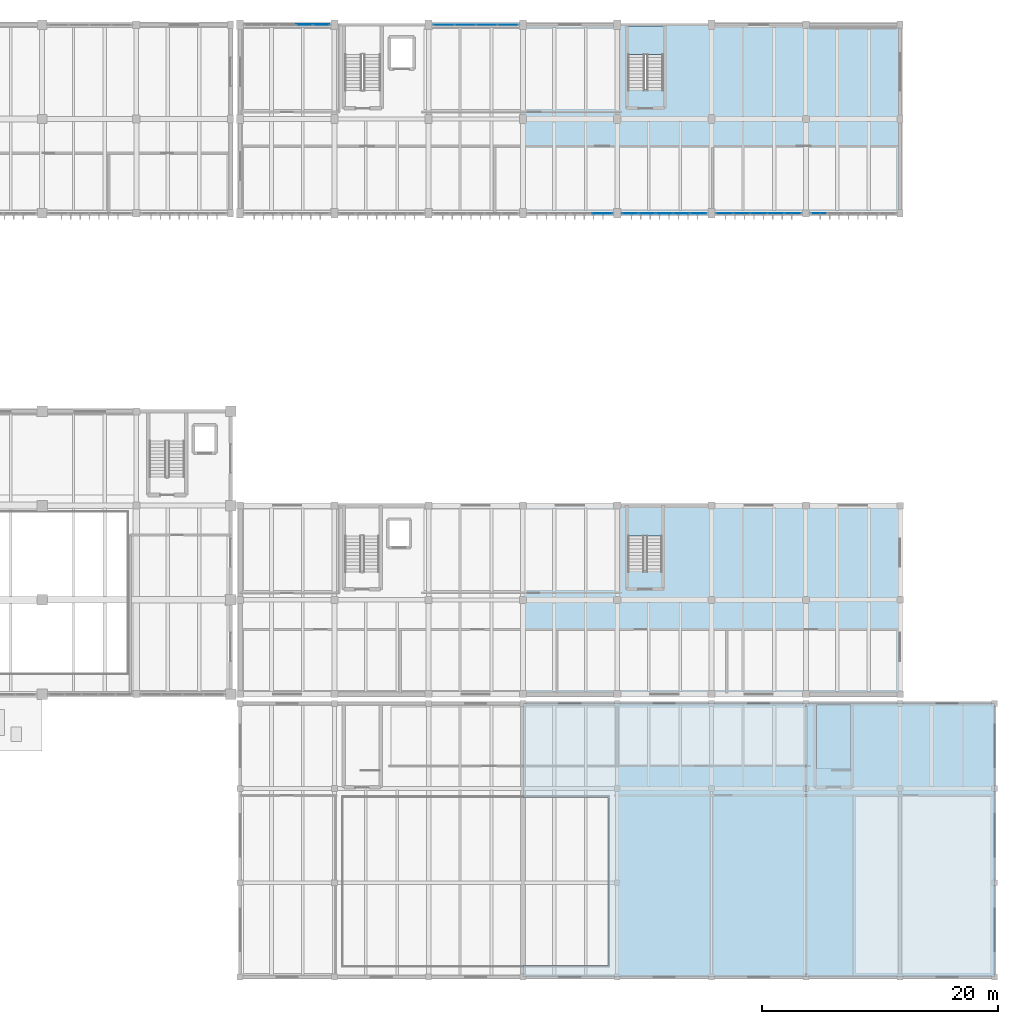
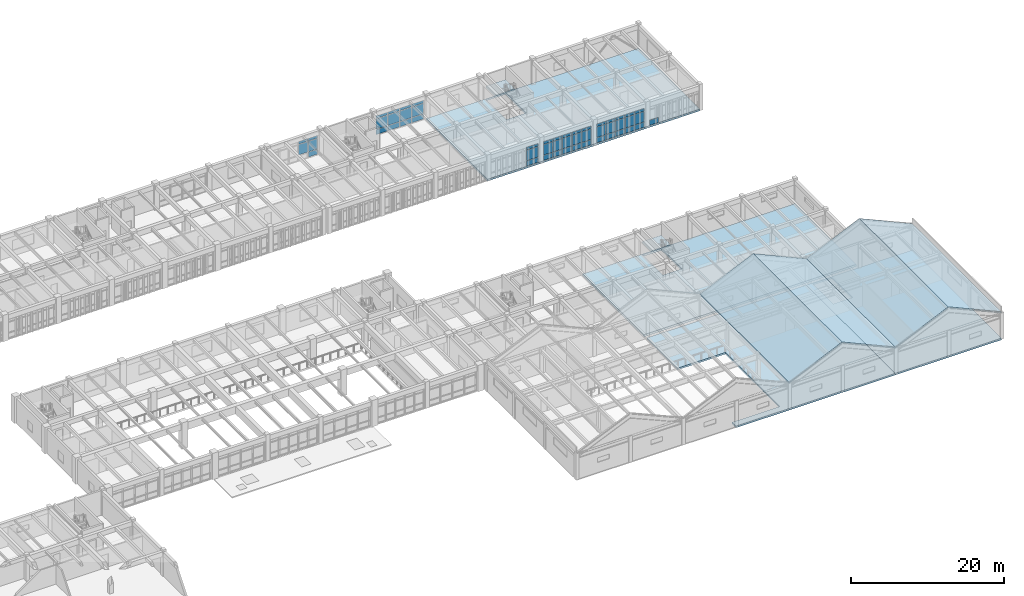
# One storey, part 38 of 67: 51 plates, 10 slabs, 8 elements without a shape of their own.
"""IFC4 building model written with IfcOpenShell, lengths in metres."""

from ifc_helpers import new_model, si_unit, direction, frame, origin, origin_2d, place, context, subcontext, project, spatial, polyline, rectangle, outline, extrude, material, layer, layer_set, type_object, element, aggregate, save


model = new_model("IFC4")

# Units and contexts
model_context = context("Model", 3, precision=1e-05, world=origin(), true_north=direction((0.0, 1.0)))
body_context = subcontext(model_context, "Body", "Model", "MODEL_VIEW")
ifc_project = project(units=[si_unit("LENGTHUNIT", "METRE"), si_unit("AREAUNIT", "SQUARE_METRE"), si_unit("VOLUMEUNIT", "CUBIC_METRE"), si_unit("PLANEANGLEUNIT", "RADIAN"), si_unit("MASSUNIT", "GRAM", prefix="KILO")], contexts=[model_context])

# Site, building, storey
site_placement = place(None, origin())
site = spatial("IfcSite", under=ifc_project, at=site_placement, CompositionType="ELEMENT")
building_placement = place(site_placement, origin())
building = spatial("IfcBuilding", under=site, at=building_placement, Name="Tlaxcora Railside Police Headquarters", CompositionType="ELEMENT")
storey_placement = place(building_placement, frame((0.0, 0.0, 4.800048828125)))
storey = spatial("IfcBuildingStorey", under=building, at=storey_placement, Name="L01", CompositionType="ELEMENT", Elevation=4.800048828125)

# Curtain wall, plates
ifc_material_1 = material(Name="Thermally broken low-E insulated glazing", Category="glass")
curtain_wall_type_1 = type_object("IfcCurtainWallType", Name="Unitised Curtain Wall Assembly CW-23", PredefinedType="NOTDEFINED", material=ifc_material_1)
curtain_wall_1_placement = place(storey_placement, origin())
curtain_wall_1 = element("IfcCurtainWall", 1, at=curtain_wall_1_placement, inside=storey, type_object=curtain_wall_type_1, Name="V6 L01 curtain wall 148", PredefinedType="NOTDEFINED")
ifc_layer_1 = layer(ifc_material_1, 0.0400390625, Name="Thermally broken low-E insulated glazing")
ifc_layer_set_1 = layer_set([ifc_layer_1], Name="Thermally broken low-E insulated glazing")
plate_type_1 = type_object("IfcPlateType", Name="Curtain Wall Infill Panel CW-17", PredefinedType="CURTAIN_PANEL", material=ifc_layer_set_1)
plate_1_placement = place(storey_placement, frame((135.89990234375, 76.800048828125, 0.080078125), z_axis=(0.0, 0.0, 1.0), x_axis=(1.0, 0.0, 0.0)))
plate_1 = element("IfcPlate", 2, at=plate_1_placement, type_object=plate_type_1, Name="CW panel 1.1", PredefinedType="CURTAIN_PANEL", context=body_context, shape_type="SweptSolid", body=[
    extrude(rectangle(XDim=1.340087890625, YDim=0.0400390625, at=origin_2d()), origin(), (0.0, 0.0, 1.0), 0.780029296875),
])
plate_2_placement = place(storey_placement, frame((135.89990234375, 76.800048828125, 0.93994140625), z_axis=(0.0, 0.0, 1.0), x_axis=(1.0, 0.0, 0.0)))
plate_2 = element("IfcPlate", 3, at=plate_2_placement, type_object=plate_type_1, Name="CW panel 1.2", PredefinedType="CURTAIN_PANEL", context=body_context, shape_type="SweptSolid", body=[
    extrude(rectangle(XDim=1.340087890625, YDim=0.0400390625, at=origin_2d()), origin(), (0.0, 0.0, 1.0), 1.6298828125),
])
plate_3_placement = place(storey_placement, frame((135.89990234375, 76.800048828125, 2.64990234375), z_axis=(0.0, 0.0, 1.0), x_axis=(1.0, 0.0, 0.0)))
plate_3 = element("IfcPlate", 4, at=plate_3_placement, type_object=plate_type_1, Name="CW panel 1.3", PredefinedType="CURTAIN_PANEL", context=body_context, shape_type="SweptSolid", body=[
    extrude(rectangle(XDim=1.340087890625, YDim=0.0400390625, at=origin_2d()), origin(), (0.0, 0.0, 1.0), 0.409912109375),
])
plate_4_placement = place(storey_placement, frame((137.340087890625, 76.800048828125, 0.080078125), z_axis=(0.0, 0.0, 1.0), x_axis=(1.0, 0.0, 0.0)))
plate_4 = element("IfcPlate", 5, at=plate_4_placement, type_object=plate_type_1, Name="CW panel 2.1", PredefinedType="CURTAIN_PANEL", context=body_context, shape_type="SweptSolid", body=[
    extrude(rectangle(XDim=1.3798828125, YDim=0.0400390625, at=origin_2d()), origin(), (0.0, 0.0, 1.0), 0.780029296875),
])
plate_5_placement = place(storey_placement, frame((137.340087890625, 76.800048828125, 0.93994140625), z_axis=(0.0, 0.0, 1.0), x_axis=(1.0, 0.0, 0.0)))
plate_5 = element("IfcPlate", 6, at=plate_5_placement, type_object=plate_type_1, Name="CW panel 2.2", PredefinedType="CURTAIN_PANEL", context=body_context, shape_type="SweptSolid", body=[
    extrude(rectangle(XDim=1.3798828125, YDim=0.0400390625, at=origin_2d()), origin(), (0.0, 0.0, 1.0), 1.6298828125),
])
plate_6_placement = place(storey_placement, frame((137.340087890625, 76.800048828125, 2.64990234375), z_axis=(0.0, 0.0, 1.0), x_axis=(1.0, 0.0, 0.0)))
plate_6 = element("IfcPlate", 7, at=plate_6_placement, type_object=plate_type_1, Name="CW panel 2.3", PredefinedType="CURTAIN_PANEL", context=body_context, shape_type="SweptSolid", body=[
    extrude(rectangle(XDim=1.3798828125, YDim=0.0400390625, at=origin_2d()), origin(), (0.0, 0.0, 1.0), 0.409912109375),
])
plate_7_placement = place(storey_placement, frame((138.800048828125, 76.800048828125, 0.080078125), z_axis=(0.0, 0.0, 1.0), x_axis=(1.0, 0.0, 0.0)))
plate_7 = element("IfcPlate", 8, at=plate_7_placement, type_object=plate_type_1, Name="CW panel 3.1", PredefinedType="CURTAIN_PANEL", context=body_context, shape_type="SweptSolid", body=[
    extrude(rectangle(XDim=1.3798828125, YDim=0.0400390625, at=origin_2d()), origin(), (0.0, 0.0, 1.0), 0.780029296875),
])
plate_8_placement = place(storey_placement, frame((138.800048828125, 76.800048828125, 0.93994140625), z_axis=(0.0, 0.0, 1.0), x_axis=(1.0, 0.0, 0.0)))
plate_8 = element("IfcPlate", 9, at=plate_8_placement, type_object=plate_type_1, Name="CW panel 3.2", PredefinedType="CURTAIN_PANEL", context=body_context, shape_type="SweptSolid", body=[
    extrude(rectangle(XDim=1.3798828125, YDim=0.0400390625, at=origin_2d()), origin(), (0.0, 0.0, 1.0), 1.6298828125),
])
plate_9_placement = place(storey_placement, frame((138.800048828125, 76.800048828125, 2.64990234375), z_axis=(0.0, 0.0, 1.0), x_axis=(1.0, 0.0, 0.0)))
plate_9 = element("IfcPlate", 10, at=plate_9_placement, type_object=plate_type_1, Name="CW panel 3.3", PredefinedType="CURTAIN_PANEL", context=body_context, shape_type="SweptSolid", body=[
    extrude(rectangle(XDim=1.3798828125, YDim=0.0400390625, at=origin_2d()), origin(), (0.0, 0.0, 1.0), 0.409912109375),
])
plate_10_placement = place(storey_placement, frame((140.260009765625, 76.800048828125, 0.080078125), z_axis=(0.0, 0.0, 1.0), x_axis=(1.0, 0.0, 0.0)))
plate_10 = element("IfcPlate", 11, at=plate_10_placement, type_object=plate_type_1, Name="CW panel 4.1", PredefinedType="CURTAIN_PANEL", context=body_context, shape_type="SweptSolid", body=[
    extrude(rectangle(XDim=1.3798828125, YDim=0.0400390625, at=origin_2d()), origin(), (0.0, 0.0, 1.0), 0.780029296875),
])
plate_11_placement = place(storey_placement, frame((140.260009765625, 76.800048828125, 0.93994140625), z_axis=(0.0, 0.0, 1.0), x_axis=(1.0, 0.0, 0.0)))
plate_11 = element("IfcPlate", 12, at=plate_11_placement, type_object=plate_type_1, Name="CW panel 4.2", PredefinedType="CURTAIN_PANEL", context=body_context, shape_type="SweptSolid", body=[
    extrude(rectangle(XDim=1.3798828125, YDim=0.0400390625, at=origin_2d()), origin(), (0.0, 0.0, 1.0), 1.6298828125),
])
plate_12_placement = place(storey_placement, frame((140.260009765625, 76.800048828125, 2.64990234375), z_axis=(0.0, 0.0, 1.0), x_axis=(1.0, 0.0, 0.0)))
plate_12 = element("IfcPlate", 13, at=plate_12_placement, type_object=plate_type_1, Name="CW panel 4.3", PredefinedType="CURTAIN_PANEL", context=body_context, shape_type="SweptSolid", body=[
    extrude(rectangle(XDim=1.3798828125, YDim=0.0400390625, at=origin_2d()), origin(), (0.0, 0.0, 1.0), 0.409912109375),
])
plate_13_placement = place(storey_placement, frame((141.699951171875, 76.800048828125, 0.080078125), z_axis=(0.0, 0.0, 1.0), x_axis=(1.0, 0.0, 0.0)))
plate_13 = element("IfcPlate", 14, at=plate_13_placement, type_object=plate_type_1, Name="CW panel 5.1", PredefinedType="CURTAIN_PANEL", context=body_context, shape_type="SweptSolid", body=[
    extrude(rectangle(XDim=1.340087890625, YDim=0.0400390625, at=origin_2d()), origin(), (0.0, 0.0, 1.0), 0.780029296875),
])
plate_14_placement = place(storey_placement, frame((141.699951171875, 76.800048828125, 0.93994140625), z_axis=(0.0, 0.0, 1.0), x_axis=(1.0, 0.0, 0.0)))
plate_14 = element("IfcPlate", 15, at=plate_14_placement, type_object=plate_type_1, Name="CW panel 5.2", PredefinedType="CURTAIN_PANEL", context=body_context, shape_type="SweptSolid", body=[
    extrude(rectangle(XDim=1.340087890625, YDim=0.0400390625, at=origin_2d()), origin(), (0.0, 0.0, 1.0), 1.6298828125),
])
plate_15_placement = place(storey_placement, frame((141.699951171875, 76.800048828125, 2.64990234375), z_axis=(0.0, 0.0, 1.0), x_axis=(1.0, 0.0, 0.0)))
plate_15 = element("IfcPlate", 16, at=plate_15_placement, type_object=plate_type_1, Name="CW panel 5.3", PredefinedType="CURTAIN_PANEL", context=body_context, shape_type="SweptSolid", body=[
    extrude(rectangle(XDim=1.340087890625, YDim=0.0400390625, at=origin_2d()), origin(), (0.0, 0.0, 1.0), 0.409912109375),
])
aggregate(curtain_wall_1, [plate_1, plate_2, plate_3, plate_4, plate_5, plate_6, plate_7, plate_8, plate_9, plate_10, plate_11, plate_12, plate_13, plate_14, plate_15])

curtain_wall_2_placement = place(storey_placement, origin())
curtain_wall_2 = element("IfcCurtainWall", 17, at=curtain_wall_2_placement, inside=storey, type_object=curtain_wall_type_1, Name="V6 L01 curtain wall 152", PredefinedType="NOTDEFINED")
plate_16_placement = place(storey_placement, frame((109.699951171875, 92.800048828125, 0.080078125), z_axis=(0.0, 0.0, 1.0), x_axis=(-1.0, 0.0, 0.0)))
plate_16 = element("IfcPlate", 18, at=plate_16_placement, type_object=plate_type_1, Name="CW panel 1.1", PredefinedType="CURTAIN_PANEL", context=body_context, shape_type="SweptSolid", body=[
    extrude(rectangle(XDim=1.340087890625, YDim=0.0400390625, at=origin_2d()), origin(), (0.0, 0.0, 1.0), 0.780029296875),
])
plate_17_placement = place(storey_placement, frame((109.699951171875, 92.800048828125, 0.93994140625), z_axis=(0.0, 0.0, 1.0), x_axis=(-1.0, 0.0, 0.0)))
plate_17 = element("IfcPlate", 19, at=plate_17_placement, type_object=plate_type_1, Name="CW panel 1.2", PredefinedType="CURTAIN_PANEL", context=body_context, shape_type="SweptSolid", body=[
    extrude(rectangle(XDim=1.340087890625, YDim=0.0400390625, at=origin_2d()), origin(), (0.0, 0.0, 1.0), 1.6298828125),
])
plate_18_placement = place(storey_placement, frame((109.699951171875, 92.800048828125, 2.64990234375), z_axis=(0.0, 0.0, 1.0), x_axis=(-1.0, 0.0, 0.0)))
plate_18 = element("IfcPlate", 20, at=plate_18_placement, type_object=plate_type_1, Name="CW panel 1.3", PredefinedType="CURTAIN_PANEL", context=body_context, shape_type="SweptSolid", body=[
    extrude(rectangle(XDim=1.340087890625, YDim=0.0400390625, at=origin_2d()), origin(), (0.0, 0.0, 1.0), 0.409912109375),
])
plate_19_placement = place(storey_placement, frame((108.260009765625, 92.800048828125, 0.93994140625), z_axis=(0.0, 0.0, 1.0), x_axis=(-1.0, 0.0, 0.0)))
plate_19 = element("IfcPlate", 21, at=plate_19_placement, type_object=plate_type_1, Name="CW panel 2.2", PredefinedType="CURTAIN_PANEL", context=body_context, shape_type="SweptSolid", body=[
    extrude(rectangle(XDim=1.3798828125, YDim=0.0400390625, at=origin_2d()), origin(), (0.0, 0.0, 1.0), 1.6298828125),
])
plate_20_placement = place(storey_placement, frame((108.260009765625, 92.800048828125, 2.64990234375), z_axis=(0.0, 0.0, 1.0), x_axis=(-1.0, 0.0, 0.0)))
plate_20 = element("IfcPlate", 22, at=plate_20_placement, type_object=plate_type_1, Name="CW panel 2.3", PredefinedType="CURTAIN_PANEL", context=body_context, shape_type="SweptSolid", body=[
    extrude(rectangle(XDim=1.3798828125, YDim=0.0400390625, at=origin_2d()), origin(), (0.0, 0.0, 1.0), 0.409912109375),
])
aggregate(curtain_wall_2, [plate_16, plate_17, plate_18, plate_19, plate_20])

# Curtain wall, plate
curtain_wall_type_2 = type_object("IfcCurtainWallType", Name="Unitised Curtain Wall Assembly CW-15", PredefinedType="NOTDEFINED", material=ifc_material_1)
curtain_wall_3_placement = place(storey_placement, origin())
curtain_wall_3 = element("IfcCurtainWall", 23, at=curtain_wall_3_placement, inside=storey, type_object=curtain_wall_type_2, Name="V6 L01 curtain wall 150", PredefinedType="NOTDEFINED")
ifc_layer_2 = layer(ifc_material_1, 0.031982421875, Name="Thermally broken low-E insulated glazing")
ifc_layer_set_2 = layer_set([ifc_layer_2], Name="Thermally broken low-E insulated glazing")
plate_type_2 = type_object("IfcPlateType", Name="Curtain Wall Infill Panel CW-41", PredefinedType="CURTAIN_PANEL", material=ifc_layer_set_2)
plate_21_placement = place(storey_placement, frame((151.90380859375, 76.800048828125, 0.074951171875), z_axis=(0.0, 0.0, 1.0), x_axis=(1.0, 0.0, 0.0)))
plate_21 = element("IfcPlate", 24, at=plate_21_placement, type_object=plate_type_2, Name="CW panel 1.1", PredefinedType="CURTAIN_PANEL", context=body_context, shape_type="SweptSolid", body=[
    extrude(rectangle(XDim=1.357421875, YDim=0.031982421875, at=origin_2d()), origin(), (0.0, 0.0, 1.0), 0.78759765625),
])
aggregate(curtain_wall_3, [plate_21])

# Curtain wall, plates
curtain_wall_type_3 = type_object("IfcCurtainWallType", Name="Unitised Curtain Wall Assembly CW-83", PredefinedType="NOTDEFINED", material=ifc_material_1)
curtain_wall_4_placement = place(storey_placement, origin())
curtain_wall_4 = element("IfcCurtainWall", 25, at=curtain_wall_4_placement, inside=storey, type_object=curtain_wall_type_3, Name="V6 L01 curtain wall 147", PredefinedType="NOTDEFINED")
ifc_layer_3 = layer(ifc_material_1, 0.035888671875, Name="Thermally broken low-E insulated glazing")
ifc_layer_set_3 = layer_set([ifc_layer_3], Name="Thermally broken low-E insulated glazing")
plate_type_3 = type_object("IfcPlateType", Name="Curtain Wall Infill Panel CW-72", PredefinedType="CURTAIN_PANEL", material=ifc_layer_set_3)
plate_22_placement = place(storey_placement, frame((133.517578125, 76.800048828125, 0.080078125), z_axis=(0.0, 0.0, 1.0), x_axis=(1.0, 0.0, 0.0)))
plate_22 = element("IfcPlate", 26, at=plate_22_placement, type_object=plate_type_3, Name="CW panel 4.1", PredefinedType="CURTAIN_PANEL", context=body_context, shape_type="SweptSolid", body=[
    extrude(rectangle(XDim=1.705078125, YDim=0.035888671875, at=origin_2d()), origin(), (0.0, 0.0, 1.0), 0.780029296875),
])
plate_23_placement = place(storey_placement, frame((133.517578125, 76.800048828125, 0.93994140625), z_axis=(0.0, 0.0, 1.0), x_axis=(1.0, 0.0, 0.0)))
plate_23 = element("IfcPlate", 27, at=plate_23_placement, type_object=plate_type_3, Name="CW panel 4.2", PredefinedType="CURTAIN_PANEL", context=body_context, shape_type="SweptSolid", body=[
    extrude(rectangle(XDim=1.705078125, YDim=0.035888671875, at=origin_2d()), origin(), (0.0, 0.0, 1.0), 1.6298828125),
])
plate_24_placement = place(storey_placement, frame((133.517578125, 76.800048828125, 2.64990234375), z_axis=(0.0, 0.0, 1.0), x_axis=(1.0, 0.0, 0.0)))
plate_24 = element("IfcPlate", 28, at=plate_24_placement, type_object=plate_type_3, Name="CW panel 4.3", PredefinedType="CURTAIN_PANEL", context=body_context, shape_type="SweptSolid", body=[
    extrude(rectangle(XDim=1.705078125, YDim=0.035888671875, at=origin_2d()), origin(), (0.0, 0.0, 1.0), 0.409912109375),
])
aggregate(curtain_wall_4, [plate_22, plate_23, plate_24])

curtain_wall_5_placement = place(storey_placement, origin())
curtain_wall_5 = element("IfcCurtainWall", 29, at=curtain_wall_5_placement, inside=storey, type_object=curtain_wall_type_3, Name="V6 L01 curtain wall 151", PredefinedType="NOTDEFINED")
plate_25_placement = place(storey_placement, frame((125.517578125, 92.800048828125, 0.080078125), z_axis=(0.0, 0.0, 1.0), x_axis=(-1.0, 0.0, 0.0)))
plate_25 = element("IfcPlate", 30, at=plate_25_placement, type_object=plate_type_3, Name="CW panel 1.1", PredefinedType="CURTAIN_PANEL", context=body_context, shape_type="SweptSolid", body=[
    extrude(rectangle(XDim=1.705078125, YDim=0.035888671875, at=origin_2d()), origin(), (0.0, 0.0, 1.0), 0.780029296875),
])
plate_26_placement = place(storey_placement, frame((125.517578125, 92.800048828125, 0.93994140625), z_axis=(0.0, 0.0, 1.0), x_axis=(-1.0, 0.0, 0.0)))
plate_26 = element("IfcPlate", 31, at=plate_26_placement, type_object=plate_type_3, Name="CW panel 1.2", PredefinedType="CURTAIN_PANEL", context=body_context, shape_type="SweptSolid", body=[
    extrude(rectangle(XDim=1.705078125, YDim=0.035888671875, at=origin_2d()), origin(), (0.0, 0.0, 1.0), 1.6298828125),
])
plate_27_placement = place(storey_placement, frame((125.517578125, 92.800048828125, 2.64990234375), z_axis=(0.0, 0.0, 1.0), x_axis=(-1.0, 0.0, 0.0)))
plate_27 = element("IfcPlate", 32, at=plate_27_placement, type_object=plate_type_3, Name="CW panel 1.3", PredefinedType="CURTAIN_PANEL", context=body_context, shape_type="SweptSolid", body=[
    extrude(rectangle(XDim=1.705078125, YDim=0.035888671875, at=origin_2d()), origin(), (0.0, 0.0, 1.0), 0.409912109375),
])
plate_28_placement = place(storey_placement, frame((123.71240234375, 92.800048828125, 0.080078125), z_axis=(0.0, 0.0, 1.0), x_axis=(-1.0, 0.0, 0.0)))
plate_28 = element("IfcPlate", 33, at=plate_28_placement, type_object=plate_type_3, Name="CW panel 2.1", PredefinedType="CURTAIN_PANEL", context=body_context, shape_type="SweptSolid", body=[
    extrude(rectangle(XDim=1.7451171875, YDim=0.035888671875, at=origin_2d()), origin(), (0.0, 0.0, 1.0), 0.780029296875),
])
plate_29_placement = place(storey_placement, frame((123.71240234375, 92.800048828125, 0.93994140625), z_axis=(0.0, 0.0, 1.0), x_axis=(-1.0, 0.0, 0.0)))
plate_29 = element("IfcPlate", 34, at=plate_29_placement, type_object=plate_type_3, Name="CW panel 2.2", PredefinedType="CURTAIN_PANEL", context=body_context, shape_type="SweptSolid", body=[
    extrude(rectangle(XDim=1.7451171875, YDim=0.035888671875, at=origin_2d()), origin(), (0.0, 0.0, 1.0), 1.6298828125),
])
plate_30_placement = place(storey_placement, frame((123.71240234375, 92.800048828125, 2.64990234375), z_axis=(0.0, 0.0, 1.0), x_axis=(-1.0, 0.0, 0.0)))
plate_30 = element("IfcPlate", 35, at=plate_30_placement, type_object=plate_type_3, Name="CW panel 2.3", PredefinedType="CURTAIN_PANEL", context=body_context, shape_type="SweptSolid", body=[
    extrude(rectangle(XDim=1.7451171875, YDim=0.035888671875, at=origin_2d()), origin(), (0.0, 0.0, 1.0), 0.409912109375),
])
plate_31_placement = place(storey_placement, frame((121.887451171875, 92.800048828125, 0.080078125), z_axis=(0.0, 0.0, 1.0), x_axis=(-1.0, 0.0, 0.0)))
plate_31 = element("IfcPlate", 36, at=plate_31_placement, type_object=plate_type_3, Name="CW panel 3.1", PredefinedType="CURTAIN_PANEL", context=body_context, shape_type="SweptSolid", body=[
    extrude(rectangle(XDim=1.7451171875, YDim=0.035888671875, at=origin_2d()), origin(), (0.0, 0.0, 1.0), 0.780029296875),
])
plate_32_placement = place(storey_placement, frame((121.887451171875, 92.800048828125, 0.93994140625), z_axis=(0.0, 0.0, 1.0), x_axis=(-1.0, 0.0, 0.0)))
plate_32 = element("IfcPlate", 37, at=plate_32_placement, type_object=plate_type_3, Name="CW panel 3.2", PredefinedType="CURTAIN_PANEL", context=body_context, shape_type="SweptSolid", body=[
    extrude(rectangle(XDim=1.7451171875, YDim=0.035888671875, at=origin_2d()), origin(), (0.0, 0.0, 1.0), 1.6298828125),
])
plate_33_placement = place(storey_placement, frame((121.887451171875, 92.800048828125, 2.64990234375), z_axis=(0.0, 0.0, 1.0), x_axis=(-1.0, 0.0, 0.0)))
plate_33 = element("IfcPlate", 38, at=plate_33_placement, type_object=plate_type_3, Name="CW panel 3.3", PredefinedType="CURTAIN_PANEL", context=body_context, shape_type="SweptSolid", body=[
    extrude(rectangle(XDim=1.7451171875, YDim=0.035888671875, at=origin_2d()), origin(), (0.0, 0.0, 1.0), 0.409912109375),
])
plate_34_placement = place(storey_placement, frame((120.08251953125, 92.800048828125, 0.080078125), z_axis=(0.0, 0.0, 1.0), x_axis=(-1.0, 0.0, 0.0)))
plate_34 = element("IfcPlate", 39, at=plate_34_placement, type_object=plate_type_3, Name="CW panel 4.1", PredefinedType="CURTAIN_PANEL", context=body_context, shape_type="SweptSolid", body=[
    extrude(rectangle(XDim=1.705078125, YDim=0.035888671875, at=origin_2d()), origin(), (0.0, 0.0, 1.0), 0.780029296875),
])
plate_35_placement = place(storey_placement, frame((120.08251953125, 92.800048828125, 0.93994140625), z_axis=(0.0, 0.0, 1.0), x_axis=(-1.0, 0.0, 0.0)))
plate_35 = element("IfcPlate", 40, at=plate_35_placement, type_object=plate_type_3, Name="CW panel 4.2", PredefinedType="CURTAIN_PANEL", context=body_context, shape_type="SweptSolid", body=[
    extrude(rectangle(XDim=1.705078125, YDim=0.035888671875, at=origin_2d()), origin(), (0.0, 0.0, 1.0), 1.6298828125),
])
plate_36_placement = place(storey_placement, frame((120.08251953125, 92.800048828125, 2.64990234375), z_axis=(0.0, 0.0, 1.0), x_axis=(-1.0, 0.0, 0.0)))
plate_36 = element("IfcPlate", 41, at=plate_36_placement, type_object=plate_type_3, Name="CW panel 4.3", PredefinedType="CURTAIN_PANEL", context=body_context, shape_type="SweptSolid", body=[
    extrude(rectangle(XDim=1.705078125, YDim=0.035888671875, at=origin_2d()), origin(), (0.0, 0.0, 1.0), 0.409912109375),
])
aggregate(curtain_wall_5, [plate_25, plate_26, plate_27, plate_28, plate_29, plate_30, plate_31, plate_32, plate_33, plate_34, plate_35, plate_36])

curtain_wall_type_4 = type_object("IfcCurtainWallType", Name="Unitised Curtain Wall Assembly CW-38", PredefinedType="NOTDEFINED", material=ifc_material_1)
curtain_wall_6_placement = place(storey_placement, origin())
curtain_wall_6 = element("IfcCurtainWall", 42, at=curtain_wall_6_placement, inside=storey, type_object=curtain_wall_type_4, Name="V6 L01 curtain wall 149", PredefinedType="NOTDEFINED")
ifc_layer_4 = layer(ifc_material_1, 0.028076171875, Name="Thermally broken low-E insulated glazing")
ifc_layer_set_4 = layer_set([ifc_layer_4], Name="Thermally broken low-E insulated glazing")
plate_type_4 = type_object("IfcPlateType", Name="Curtain Wall Infill Panel CW-92", PredefinedType="CURTAIN_PANEL", material=ifc_layer_set_4)
plate_37_placement = place(storey_placement, frame((143.898681640625, 76.800048828125, 0.074951171875), z_axis=(0.0, 0.0, 1.0), x_axis=(1.0, 0.0, 0.0)))
plate_37 = element("IfcPlate", 43, at=plate_37_placement, type_object=plate_type_4, Name="CW panel 1.1", PredefinedType="CURTAIN_PANEL", context=body_context, shape_type="SweptSolid", body=[
    extrude(rectangle(XDim=1.347412109375, YDim=0.028076171875, at=origin_2d()), origin(), (0.0, 0.0, 1.0), 0.78759765625),
])
plate_38_placement = place(storey_placement, frame((143.898681640625, 76.800048828125, 0.9375), z_axis=(0.0, 0.0, 1.0), x_axis=(1.0, 0.0, 0.0)))
plate_38 = element("IfcPlate", 44, at=plate_38_placement, type_object=plate_type_4, Name="CW panel 1.2", PredefinedType="CURTAIN_PANEL", context=body_context, shape_type="SweptSolid", body=[
    extrude(rectangle(XDim=1.347412109375, YDim=0.028076171875, at=origin_2d()), origin(), (0.0, 0.0, 1.0), 1.635009765625),
])
plate_39_placement = place(storey_placement, frame((143.898681640625, 76.800048828125, 2.6474609375), z_axis=(0.0, 0.0, 1.0), x_axis=(1.0, 0.0, 0.0)))
plate_39 = element("IfcPlate", 45, at=plate_39_placement, type_object=plate_type_4, Name="CW panel 1.3", PredefinedType="CURTAIN_PANEL", context=body_context, shape_type="SweptSolid", body=[
    extrude(rectangle(XDim=1.347412109375, YDim=0.028076171875, at=origin_2d()), origin(), (0.0, 0.0, 1.0), 0.41748046875),
])
plate_40_placement = place(storey_placement, frame((145.340087890625, 76.800048828125, 0.074951171875), z_axis=(0.0, 0.0, 1.0), x_axis=(1.0, 0.0, 0.0)))
plate_40 = element("IfcPlate", 46, at=plate_40_placement, type_object=plate_type_4, Name="CW panel 2.1", PredefinedType="CURTAIN_PANEL", context=body_context, shape_type="SweptSolid", body=[
    extrude(rectangle(XDim=1.385009765625, YDim=0.028076171875, at=origin_2d()), origin(), (0.0, 0.0, 1.0), 0.78759765625),
])
plate_41_placement = place(storey_placement, frame((145.340087890625, 76.800048828125, 0.9375), z_axis=(0.0, 0.0, 1.0), x_axis=(1.0, 0.0, 0.0)))
plate_41 = element("IfcPlate", 47, at=plate_41_placement, type_object=plate_type_4, Name="CW panel 2.2", PredefinedType="CURTAIN_PANEL", context=body_context, shape_type="SweptSolid", body=[
    extrude(rectangle(XDim=1.385009765625, YDim=0.028076171875, at=origin_2d()), origin(), (0.0, 0.0, 1.0), 1.635009765625),
])
plate_42_placement = place(storey_placement, frame((145.340087890625, 76.800048828125, 2.6474609375), z_axis=(0.0, 0.0, 1.0), x_axis=(1.0, 0.0, 0.0)))
plate_42 = element("IfcPlate", 48, at=plate_42_placement, type_object=plate_type_4, Name="CW panel 2.3", PredefinedType="CURTAIN_PANEL", context=body_context, shape_type="SweptSolid", body=[
    extrude(rectangle(XDim=1.385009765625, YDim=0.028076171875, at=origin_2d()), origin(), (0.0, 0.0, 1.0), 0.41748046875),
])
plate_43_placement = place(storey_placement, frame((146.800048828125, 76.800048828125, 0.074951171875), z_axis=(0.0, 0.0, 1.0), x_axis=(1.0, 0.0, 0.0)))
plate_43 = element("IfcPlate", 49, at=plate_43_placement, type_object=plate_type_4, Name="CW panel 3.1", PredefinedType="CURTAIN_PANEL", context=body_context, shape_type="SweptSolid", body=[
    extrude(rectangle(XDim=1.385009765625, YDim=0.028076171875, at=origin_2d()), origin(), (0.0, 0.0, 1.0), 0.78759765625),
])
plate_44_placement = place(storey_placement, frame((146.800048828125, 76.800048828125, 0.9375), z_axis=(0.0, 0.0, 1.0), x_axis=(1.0, 0.0, 0.0)))
plate_44 = element("IfcPlate", 50, at=plate_44_placement, type_object=plate_type_4, Name="CW panel 3.2", PredefinedType="CURTAIN_PANEL", context=body_context, shape_type="SweptSolid", body=[
    extrude(rectangle(XDim=1.385009765625, YDim=0.028076171875, at=origin_2d()), origin(), (0.0, 0.0, 1.0), 1.635009765625),
])
plate_45_placement = place(storey_placement, frame((146.800048828125, 76.800048828125, 2.6474609375), z_axis=(0.0, 0.0, 1.0), x_axis=(1.0, 0.0, 0.0)))
plate_45 = element("IfcPlate", 51, at=plate_45_placement, type_object=plate_type_4, Name="CW panel 3.3", PredefinedType="CURTAIN_PANEL", context=body_context, shape_type="SweptSolid", body=[
    extrude(rectangle(XDim=1.385009765625, YDim=0.028076171875, at=origin_2d()), origin(), (0.0, 0.0, 1.0), 0.41748046875),
])
plate_46_placement = place(storey_placement, frame((148.260009765625, 76.800048828125, 0.074951171875), z_axis=(0.0, 0.0, 1.0), x_axis=(1.0, 0.0, 0.0)))
plate_46 = element("IfcPlate", 52, at=plate_46_placement, type_object=plate_type_4, Name="CW panel 4.1", PredefinedType="CURTAIN_PANEL", context=body_context, shape_type="SweptSolid", body=[
    extrude(rectangle(XDim=1.385009765625, YDim=0.028076171875, at=origin_2d()), origin(), (0.0, 0.0, 1.0), 0.78759765625),
])
plate_47_placement = place(storey_placement, frame((148.260009765625, 76.800048828125, 0.9375), z_axis=(0.0, 0.0, 1.0), x_axis=(1.0, 0.0, 0.0)))
plate_47 = element("IfcPlate", 53, at=plate_47_placement, type_object=plate_type_4, Name="CW panel 4.2", PredefinedType="CURTAIN_PANEL", context=body_context, shape_type="SweptSolid", body=[
    extrude(rectangle(XDim=1.385009765625, YDim=0.028076171875, at=origin_2d()), origin(), (0.0, 0.0, 1.0), 1.635009765625),
])
plate_48_placement = place(storey_placement, frame((148.260009765625, 76.800048828125, 2.6474609375), z_axis=(0.0, 0.0, 1.0), x_axis=(1.0, 0.0, 0.0)))
plate_48 = element("IfcPlate", 54, at=plate_48_placement, type_object=plate_type_4, Name="CW panel 4.3", PredefinedType="CURTAIN_PANEL", context=body_context, shape_type="SweptSolid", body=[
    extrude(rectangle(XDim=1.385009765625, YDim=0.028076171875, at=origin_2d()), origin(), (0.0, 0.0, 1.0), 0.41748046875),
])
plate_49_placement = place(storey_placement, frame((149.701171875, 76.800048828125, 0.074951171875), z_axis=(0.0, 0.0, 1.0), x_axis=(1.0, 0.0, 0.0)))
plate_49 = element("IfcPlate", 55, at=plate_49_placement, type_object=plate_type_4, Name="CW panel 5.1", PredefinedType="CURTAIN_PANEL", context=body_context, shape_type="SweptSolid", body=[
    extrude(rectangle(XDim=1.347412109375, YDim=0.028076171875, at=origin_2d()), origin(), (0.0, 0.0, 1.0), 0.78759765625),
])
plate_50_placement = place(storey_placement, frame((149.701171875, 76.800048828125, 0.9375), z_axis=(0.0, 0.0, 1.0), x_axis=(1.0, 0.0, 0.0)))
plate_50 = element("IfcPlate", 56, at=plate_50_placement, type_object=plate_type_4, Name="CW panel 5.2", PredefinedType="CURTAIN_PANEL", context=body_context, shape_type="SweptSolid", body=[
    extrude(rectangle(XDim=1.347412109375, YDim=0.028076171875, at=origin_2d()), origin(), (0.0, 0.0, 1.0), 1.635009765625),
])
plate_51_placement = place(storey_placement, frame((149.701171875, 76.800048828125, 2.6474609375), z_axis=(0.0, 0.0, 1.0), x_axis=(1.0, 0.0, 0.0)))
plate_51 = element("IfcPlate", 57, at=plate_51_placement, type_object=plate_type_4, Name="CW panel 5.3", PredefinedType="CURTAIN_PANEL", context=body_context, shape_type="SweptSolid", body=[
    extrude(rectangle(XDim=1.347412109375, YDim=0.028076171875, at=origin_2d()), origin(), (0.0, 0.0, 1.0), 0.41748046875),
])
aggregate(curtain_wall_6, [plate_37, plate_38, plate_39, plate_40, plate_41, plate_42, plate_43, plate_44, plate_45, plate_46, plate_47, plate_48, plate_49, plate_50, plate_51])

# Slabs
ifc_material_2 = material(Name="Concrete C40/50", Category="concrete")
ifc_layer_5 = layer(ifc_material_2, 0.199951171875, Name="Concrete C40/50")
ifc_layer_set_5 = layer_set([ifc_layer_5], Name="Concrete C40/50")
slab_type_1 = type_object("IfcSlabType", Name="Folded or Flat Roof Slab SL-77", PredefinedType="ROOF", material=ifc_layer_set_5)
slab_1_placement = place(storey_placement, frame((134.800048828125, 35.199951171875, 0.0), z_axis=(0.0, -1.0, 0.0), x_axis=(1.0, 0.0, 0.0)))
element("IfcSlab", 58, at=slab_1_placement, inside=storey, type_object=slab_type_1, Name="Gymnasium-Range folded roof 3 west facet", PredefinedType="ROOF", context=body_context, shape_type="SweptSolid", body=[
    extrude(outline(polyline([(0.0, 3.980712890625), (8.0, 7.580810546875), (8.0, 7.800048828125), (0.0, 4.199951171875), (0.0, 3.980712890625)])), origin(), (0.0, 0.0, 1.0), 23.199951171875),
])
slab_2_placement = place(storey_placement, frame((142.800048828125, 35.199951171875, 0.0), z_axis=(0.0, -1.0, 0.0), x_axis=(1.0, 0.0, 0.0)))
element("IfcSlab", 59, at=slab_2_placement, inside=storey, type_object=slab_type_1, Name="Gymnasium-Range folded roof 3 east facet", PredefinedType="ROOF", context=body_context, shape_type="SweptSolid", body=[
    extrude(outline(polyline([(0.0, 7.580810546875), (8.0, 3.980712890625), (8.0, 4.199951171875), (0.0, 7.800048828125), (0.0, 7.580810546875)])), origin(), (0.0, 0.0, 1.0), 23.199951171875),
])
slab_3_placement = place(storey_placement, frame((150.800048828125, 35.199951171875, 0.0), z_axis=(0.0, -1.0, 0.0), x_axis=(1.0, 0.0, 0.0)))
element("IfcSlab", 60, at=slab_3_placement, inside=storey, type_object=slab_type_1, Name="Gymnasium-Range folded roof 4 west facet", PredefinedType="ROOF", context=body_context, shape_type="SweptSolid", body=[
    extrude(outline(polyline([(0.0, 3.980712890625), (8.0, 7.580810546875), (8.0, 7.800048828125), (0.0, 4.199951171875), (0.0, 3.980712890625)])), origin(), (0.0, 0.0, 1.0), 23.199951171875),
])
slab_4_placement = place(storey_placement, frame((158.800048828125, 35.199951171875, 0.0), z_axis=(0.0, -1.0, 0.0), x_axis=(1.0, 0.0, 0.0)))
element("IfcSlab", 61, at=slab_4_placement, inside=storey, type_object=slab_type_1, Name="Gymnasium-Range folded roof 4 east facet", PredefinedType="ROOF", context=body_context, shape_type="SweptSolid", body=[
    extrude(outline(polyline([(0.0, 7.580810546875), (8.0, 3.980712890625), (8.0, 4.199951171875), (0.0, 7.800048828125), (0.0, 7.580810546875)])), origin(), (0.0, 0.0, 1.0), 23.199951171875),
])

# Stair, slab
stair_type_1 = type_object("IfcStairType", Name="Half-Turn Dog-Leg Stair ST-45", PredefinedType="HALF_TURN_STAIR", material=ifc_material_2)
stair_1_placement = place(storey_placement, origin())
stair_1 = element("IfcStair", 62, at=stair_1_placement, inside=storey, type_object=stair_type_1, Name="L01 ST8", PredefinedType="HALF_TURN_STAIR")
ifc_material_3 = material(Name="Concrete C35/45", Category="concrete")
ifc_layer_6 = layer(ifc_material_3, 0.199951171875, Name="Concrete C35/45")
ifc_layer_set_6 = layer_set([ifc_layer_6], Name="Concrete C35/45")
slab_type_2 = type_object("IfcSlabType", Name="Stair Landing Slab SL-23", PredefinedType="LANDING", material=ifc_layer_set_6)
slab_5_placement = place(storey_placement, frame((0.0, 0.0, 1.89990234375)))
slab_5 = element("IfcSlab", 63, at=slab_5_placement, type_object=slab_type_2, Name="ST8 landing 1", PredefinedType="LANDING", context=body_context, shape_type="SweptSolid", body=[
    extrude(outline(polyline([(138.7099609375, 90.2900390625), (138.7099609375, 92.68994140625), (135.7099609375, 92.68994140625), (135.7099609375, 90.2900390625), (138.7099609375, 90.2900390625)])), origin(), (0.0, 0.0, 1.0), 0.199951171875),
])
aggregate(stair_1, [slab_5])

stair_type_2 = type_object("IfcStairType", Name="Half-Turn Dog-Leg Stair ST-49", PredefinedType="HALF_TURN_STAIR", material=ifc_material_2)
stair_2_placement = place(storey_placement, origin())
stair_2 = element("IfcStair", 64, at=stair_2_placement, inside=storey, type_object=stair_type_2, Name="L01 ST11", PredefinedType="HALF_TURN_STAIR")
slab_6_placement = place(storey_placement, frame((0.0, 0.0, 1.89990234375)))
slab_6 = element("IfcSlab", 65, at=slab_6_placement, type_object=slab_type_2, Name="ST11 landing 1", PredefinedType="LANDING", context=body_context, shape_type="SweptSolid", body=[
    extrude(outline(polyline([(138.610107421875, 49.43994140625), (138.610107421875, 51.889892578125), (135.7099609375, 51.889892578125), (135.7099609375, 49.43994140625), (138.610107421875, 49.43994140625)])), origin(), (0.0, 0.0, 1.0), 0.199951171875),
])
aggregate(stair_2, [slab_6])

# Slabs
ifc_layer_7 = layer(ifc_material_3, 0.27001953125, Name="Concrete C35/45")
ifc_layer_set_7 = layer_set([ifc_layer_7], Name="Concrete C35/45")
slab_type_3 = type_object("IfcSlabType", Name="Suspended Floor Slab SL-36", PredefinedType="FLOOR", material=ifc_layer_set_7)
slab_7_placement = place(storey_placement, frame((0.0, 0.0, -0.27001953125)))
element("IfcSlab", 66, at=slab_7_placement, inside=storey, type_object=slab_type_3, Name="V3 L01 floor slab zone 2", PredefinedType="FLOOR", context=body_context, shape_type="SweptSolid", body=[
    extrude(outline(polyline([(150.800048828125, 12.0), (150.800048828125, 35.199951171875), (126.800048828125, 35.199951171875), (126.800048828125, 27.199951171875), (134.0, 27.199951171875), (134.0, 13.0), (126.800048828125, 13.0), (126.800048828125, 12.0), (150.800048828125, 12.0)])), origin(), (0.0, 0.0, 1.0), 0.27001953125),
])
slab_8_placement = place(storey_placement, frame((0.0, 0.0, -0.27001953125)))
element("IfcSlab", 67, at=slab_8_placement, inside=storey, type_object=slab_type_3, Name="V3 L01 floor slab zone 3", PredefinedType="FLOOR", context=body_context, shape_type="SweptSolid", body=[
    extrude(outline(polyline([(166.800048828125, 12.0), (166.800048828125, 35.199951171875), (150.800048828125, 35.199951171875), (150.800048828125, 12.0), (166.800048828125, 12.0)]), holes=[polyline([(154.610107421875, 29.699951171875), (151.7099609375, 29.699951171875), (151.7099609375, 35.090087890625), (154.610107421875, 35.090087890625), (154.610107421875, 29.699951171875)])]), origin(), (0.0, 0.0, 1.0), 0.27001953125),
])
slab_9_placement = place(storey_placement, frame((0.0, 0.0, -0.27001953125)))
element("IfcSlab", 68, at=slab_9_placement, inside=storey, type_object=slab_type_3, Name="V6 L01 floor slab zone 2", PredefinedType="FLOOR", context=body_context, shape_type="SweptSolid", body=[
    extrude(outline(polyline([(158.800048828125, 92.800048828125), (126.800048828125, 92.800048828125), (126.800048828125, 76.800048828125), (158.800048828125, 76.800048828125), (158.800048828125, 92.800048828125)]), holes=[polyline([(138.7099609375, 87.35009765625), (135.7099609375, 87.35009765625), (135.7099609375, 92.68994140625), (138.7099609375, 92.68994140625), (138.7099609375, 87.35009765625)])]), origin(), (0.0, 0.0, 1.0), 0.27001953125),
])
ifc_layer_8 = layer(ifc_material_2, 0.340087890625, Name="Concrete C40/50")
ifc_layer_set_8 = layer_set([ifc_layer_8], Name="Concrete C40/50")
slab_type_4 = type_object("IfcSlabType", Name="Suspended Floor Slab SL-48", PredefinedType="FLOOR", material=ifc_layer_set_8)
slab_10_placement = place(storey_placement, frame((0.0, 0.0, -0.340087890625)))
element("IfcSlab", 69, at=slab_10_placement, inside=storey, type_object=slab_type_4, Name="V7 L01 floor slab zone 2", PredefinedType="FLOOR", context=body_context, shape_type="SweptSolid", body=[
    extrude(outline(polyline([(158.800048828125, 52.0), (126.800048828125, 52.0), (126.800048828125, 36.0), (158.800048828125, 36.0), (158.800048828125, 52.0)]), holes=[polyline([(138.610107421875, 46.5), (135.7099609375, 46.5), (135.7099609375, 51.889892578125), (138.610107421875, 51.889892578125), (138.610107421875, 46.5)])]), origin(), (0.0, 0.0, 1.0), 0.340087890625),
])

save(model, "model.ifc")
